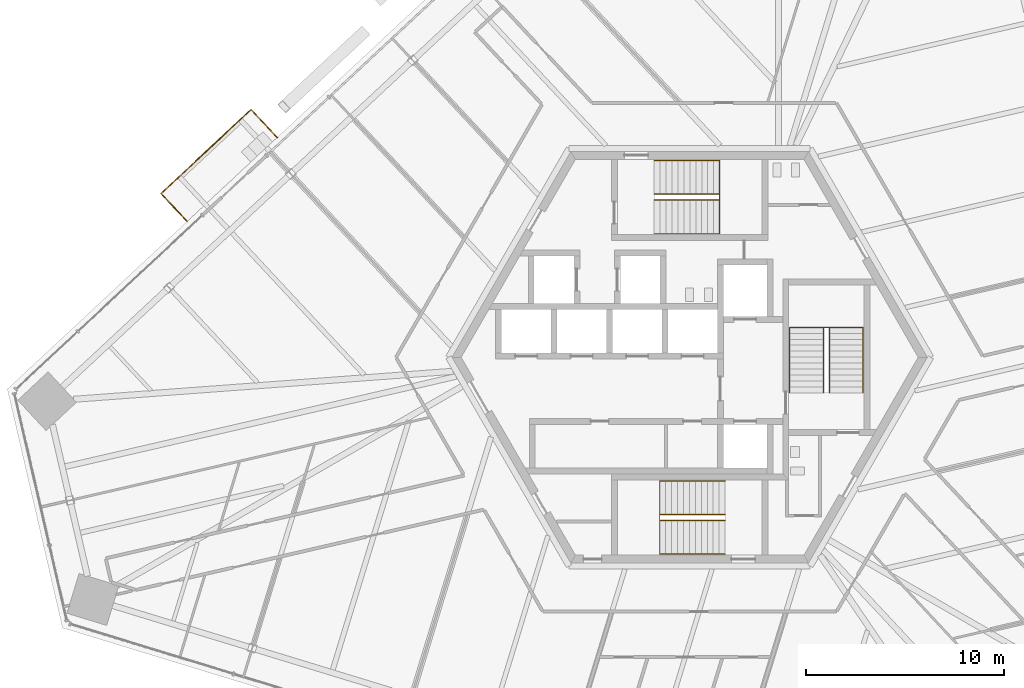
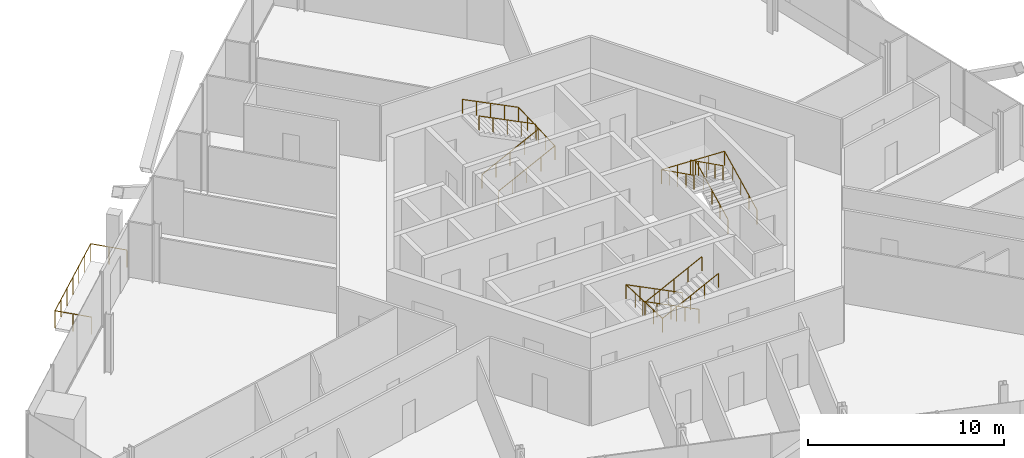
# One storey, part 17 of 20: 7 railings.
"""IFC4 building model written with IfcOpenShell, lengths in metres."""

from ifc_helpers import new_model, si_unit, direction, frame, origin, origin_2d, place, context, subcontext, project, spatial, circle, extrude, source, transform, mapped, material, type_object, element, save


model = new_model("IFC4")

# Units and contexts
model_context = context("Model", 3, precision=1e-05, world=origin(), true_north=direction((0.0, 1.0)))
body_context = subcontext(model_context, "Body", "Model", "MODEL_VIEW")
ifc_project = project(units=[si_unit("LENGTHUNIT", "METRE"), si_unit("AREAUNIT", "SQUARE_METRE"), si_unit("VOLUMEUNIT", "CUBIC_METRE"), si_unit("PLANEANGLEUNIT", "RADIAN"), si_unit("MASSUNIT", "GRAM", prefix="KILO")], contexts=[model_context])

# Site, building, storey
site_placement = place(None, origin())
site = spatial("IfcSite", under=ifc_project, at=site_placement, CompositionType="ELEMENT")
building_placement = place(site_placement, origin())
building = spatial("IfcBuilding", under=site, at=building_placement, Name="Triune Harvest Tower", CompositionType="ELEMENT")
storey_placement = place(building_placement, frame((0.0, 0.0, 116.300048828125)))
storey = spatial("IfcBuildingStorey", under=building, at=storey_placement, Name="L29", CompositionType="ELEMENT", Elevation=116.300048828125)

# Railings
ifc_material_1 = material(Name="Glass", Category="glass")
railing_type_1 = type_object("IfcRailingType", Name="GD-2 balcony guard 1100", PredefinedType="GUARDRAIL", material=ifc_material_1)
railing_1_placement = place(storey_placement, frame((-20.830322265625, 11.099853515625, 0.0)))
element("IfcRailing", 1, at=railing_1_placement, inside=storey, type_object=railing_type_1, Name="Balcony guard B3-F3 L29.9", PredefinedType="GUARDRAIL", context=body_context, shape_type="SweptSolid", body=[
    extrude(circle(Radius=0.02392578125, at=origin_2d()), frame((0.0, 0.0, 1.076171875), z_axis=(-0.682093027089, 0.731265411733, 0.0), x_axis=(-0.731265411733, -0.682093027089, 0.0)), (0.0, 0.0, 1.0), 1.931396484375),
    extrude(circle(Radius=0.02392578125, at=origin_2d()), frame((-1.3173828125, 1.412353515625, 1.076171875), z_axis=(-0.731350246246, -0.682002065478, 0.0), x_axis=(0.682002065478, -0.731350246246, 0.0)), (0.0, 0.0, 1.0), 6.21875),
    extrude(circle(Radius=0.02392578125, at=origin_2d()), frame((-5.865478515625, -2.828857421875, 1.076171875), z_axis=(0.681962370145, -0.731387261105, 0.0), x_axis=(0.731387261105, 0.681962370145, 0.0)), (0.0, 0.0, 1.0), 1.931396484375),
    extrude(circle(Radius=0.02099609375, at=origin_2d()), origin(), (0.0, 0.0, 1.0), 1.052001953125),
    extrude(circle(Radius=0.02099609375, at=origin_2d()), frame((-0.65869140625, 0.7060546875, 0.0)), (0.0, 0.0, 1.0), 1.052001953125),
    extrude(circle(Radius=0.02099609375, at=origin_2d()), frame((-1.3173828125, 1.412353515625, 0.0)), (0.0, 0.0, 1.0), 1.052001953125),
    extrude(circle(Radius=0.02099609375, at=origin_2d()), frame((-2.075439453125, 0.70556640625, 0.0)), (0.0, 0.0, 1.0), 1.052001953125),
    extrude(circle(Radius=0.02099609375, at=origin_2d()), frame((-2.83349609375, -0.00146484375, 0.0)), (0.0, 0.0, 1.0), 1.052001953125),
    extrude(circle(Radius=0.02099609375, at=origin_2d()), frame((-3.59130859375, -0.708251953125, 0.0)), (0.0, 0.0, 1.0), 1.052001953125),
    extrude(circle(Radius=0.02099609375, at=origin_2d()), frame((-4.349365234375, -1.4150390625, 0.0)), (0.0, 0.0, 1.0), 1.052001953125),
    extrude(circle(Radius=0.02099609375, at=origin_2d()), frame((-5.107421875, -2.1220703125, 0.0)), (0.0, 0.0, 1.0), 1.052001953125),
    extrude(circle(Radius=0.02099609375, at=origin_2d()), frame((-5.865478515625, -2.828857421875, 0.0)), (0.0, 0.0, 1.0), 1.052001953125),
    extrude(circle(Radius=0.02099609375, at=origin_2d()), frame((-5.20703125, -3.53515625, 0.0)), (0.0, 0.0, 1.0), 1.052001953125),
    extrude(circle(Radius=0.02099609375, at=origin_2d()), frame((-4.54833984375, -4.241455078125, 0.0)), (0.0, 0.0, 1.0), 1.052001953125),
])
ifc_material_2 = material(Name="Stainless steel AISI 316", Category="steel")
railing_type_2 = type_object("IfcRailingType", Name="Stair handrail", PredefinedType="HANDRAIL", material=ifc_material_2)
shared_shape_1 = source(origin(), body_context, "Body", "SweptSolid", [
    extrude(circle(Radius=0.02392578125, at=origin_2d()), frame((0.0, 0.0, 0.8759765625), z_axis=(0.894413956696, 0.0, 0.447240063129), x_axis=(0.0, 1.0, 0.0)), (0.0, 0.0, 1.0), 3.689697265625),
    extrude(circle(Radius=0.02392578125, at=origin_2d()), frame((3.300048828125, 0.0, 2.52587890625), z_axis=(0.0, 0.999180289278, 0.040481471304), x_axis=(-1.0, 0.0, 0.0)), (0.0, 0.0, 1.0), 3.702880859375),
    extrude(circle(Radius=0.02392578125, at=origin_2d()), frame((3.300048828125, 3.699951171875, 2.67578125), z_axis=(-0.894440424912, 0.0, 0.447187126696), x_axis=(0.0, -1.0, 0.0)), (0.0, 0.0, 1.0), 3.689453125),
    extrude(circle(Radius=0.02099609375, at=origin_2d()), origin(), (0.0, 0.0, 1.0), 0.851806640625),
    extrude(circle(Radius=0.02099609375, at=origin_2d()), frame((0.824951171875, 0.0, 0.41259765625)), (0.0, 0.0, 1.0), 0.851806640625),
    extrude(circle(Radius=0.02099609375, at=origin_2d()), frame((1.64990234375, 0.0, 0.8251953125)), (0.0, 0.0, 1.0), 0.851806640625),
    extrude(circle(Radius=0.02099609375, at=origin_2d()), frame((2.47509765625, 0.0, 1.237548828125)), (0.0, 0.0, 1.0), 0.851806640625),
    extrude(circle(Radius=0.02099609375, at=origin_2d()), frame((3.300048828125, 0.0, 1.650146484375)), (0.0, 0.0, 1.0), 0.851806640625),
    extrude(circle(Radius=0.02099609375, at=origin_2d()), frame((3.300048828125, 0.925048828125, 1.6875)), (0.0, 0.0, 1.0), 0.851806640625),
    extrude(circle(Radius=0.02099609375, at=origin_2d()), frame((3.300048828125, 1.85009765625, 1.72509765625)), (0.0, 0.0, 1.0), 0.851806640625),
    extrude(circle(Radius=0.02099609375, at=origin_2d()), frame((3.300048828125, 2.77490234375, 1.7626953125)), (0.0, 0.0, 1.0), 0.851806640625),
    extrude(circle(Radius=0.02099609375, at=origin_2d()), frame((3.300048828125, 3.699951171875, 1.800048828125)), (0.0, 0.0, 1.0), 0.851806640625),
    extrude(circle(Radius=0.02099609375, at=origin_2d()), frame((2.47509765625, 3.699951171875, 2.21240234375)), (0.0, 0.0, 1.0), 0.851806640625),
    extrude(circle(Radius=0.02099609375, at=origin_2d()), frame((1.64990234375, 3.699951171875, 2.625)), (0.0, 0.0, 1.0), 0.851806640625),
    extrude(circle(Radius=0.02099609375, at=origin_2d()), frame((0.824951171875, 3.699951171875, 3.03759765625)), (0.0, 0.0, 1.0), 0.851806640625),
    extrude(circle(Radius=0.02099609375, at=origin_2d()), frame((0.0, 3.699951171875, 3.449951171875)), (0.0, 0.0, 1.0), 0.851806640625),
])
railing_2_placement = place(storey_placement, frame((-1.7900390625, 6.239990234375, 0.14990234375)))
element("IfcRailing", 2, at=railing_2_placement, inside=storey, type_object=railing_type_2, Name="Exit stair north wall handrail", PredefinedType="HANDRAIL", context=body_context, shape_type="MappedRepresentation", body=[
    mapped(shared_shape_1, transform((0.0, 0.0, 0.0), scale=1.0)),
])
shared_shape_2 = source(origin(), body_context, "Body", "SweptSolid", [
    extrude(circle(Radius=0.02392578125, at=origin_2d()), frame((0.0, 0.0, 0.8759765625), z_axis=(0.894413956696, 0.0, 0.447240063129), x_axis=(0.0, 1.0, 0.0)), (0.0, 0.0, 1.0), 3.689697265625),
    extrude(circle(Radius=0.02392578125, at=origin_2d()), frame((3.300048828125, 0.0, 2.52587890625), z_axis=(0.0, 0.894572720946, 0.446922417137), x_axis=(-1.0, 0.0, 0.0)), (0.0, 0.0, 1.0), 0.33544921875),
    extrude(circle(Radius=0.02392578125, at=origin_2d()), frame((3.300048828125, 0.300048828125, 2.67578125), z_axis=(-0.894440424912, 0.0, 0.447187126696), x_axis=(0.0, -1.0, 0.0)), (0.0, 0.0, 1.0), 3.689453125),
    extrude(circle(Radius=0.02099609375, at=origin_2d()), origin(), (0.0, 0.0, 1.0), 0.851806640625),
    extrude(circle(Radius=0.02099609375, at=origin_2d()), frame((0.824951171875, 0.0, 0.41259765625)), (0.0, 0.0, 1.0), 0.851806640625),
    extrude(circle(Radius=0.02099609375, at=origin_2d()), frame((1.64990234375, 0.0, 0.8251953125)), (0.0, 0.0, 1.0), 0.851806640625),
    extrude(circle(Radius=0.02099609375, at=origin_2d()), frame((2.47509765625, 0.0, 1.237548828125)), (0.0, 0.0, 1.0), 0.851806640625),
    extrude(circle(Radius=0.02099609375, at=origin_2d()), frame((3.300048828125, 0.0, 1.650146484375)), (0.0, 0.0, 1.0), 0.851806640625),
    extrude(circle(Radius=0.02099609375, at=origin_2d()), frame((3.300048828125, 0.300048828125, 1.800048828125)), (0.0, 0.0, 1.0), 0.851806640625),
    extrude(circle(Radius=0.02099609375, at=origin_2d()), frame((2.47509765625, 0.300048828125, 2.21240234375)), (0.0, 0.0, 1.0), 0.851806640625),
    extrude(circle(Radius=0.02099609375, at=origin_2d()), frame((1.64990234375, 0.300048828125, 2.625)), (0.0, 0.0, 1.0), 0.851806640625),
    extrude(circle(Radius=0.02099609375, at=origin_2d()), frame((0.824951171875, 0.300048828125, 3.03759765625)), (0.0, 0.0, 1.0), 0.851806640625),
    extrude(circle(Radius=0.02099609375, at=origin_2d()), frame((0.0, 0.300048828125, 3.449951171875)), (0.0, 0.0, 1.0), 0.851806640625),
])
railing_3_placement = place(storey_placement, frame((-1.7900390625, 7.93994140625, 0.14990234375)))
element("IfcRailing", 3, at=railing_3_placement, inside=storey, type_object=railing_type_2, Name="Exit stair north centre handrail", PredefinedType="HANDRAIL", context=body_context, shape_type="MappedRepresentation", body=[
    mapped(shared_shape_2, transform((0.0, 0.0, 0.0), scale=1.0)),
])
shared_shape_3 = source(origin(), body_context, "Body", "SweptSolid", [
    extrude(circle(Radius=0.02392578125, at=origin_2d()), frame((0.0, 0.0, 0.8759765625), z_axis=(-0.894413956696, 0.0, 0.447240063129), x_axis=(0.0, -1.0, 0.0)), (0.0, 0.0, 1.0), 3.689697265625),
    extrude(circle(Radius=0.02392578125, at=origin_2d()), frame((-3.300048828125, 0.0, 2.52587890625), z_axis=(0.0, -0.999180289278, 0.040481471304), x_axis=(1.0, 0.0, 0.0)), (0.0, 0.0, 1.0), 3.702880859375),
    extrude(circle(Radius=0.02392578125, at=origin_2d()), frame((-3.300048828125, -3.699951171875, 2.67578125), z_axis=(0.894440424912, 0.0, 0.447187126696), x_axis=(0.0, 1.0, 0.0)), (0.0, 0.0, 1.0), 3.689453125),
    extrude(circle(Radius=0.02099609375, at=origin_2d()), origin(), (0.0, 0.0, 1.0), 0.851806640625),
    extrude(circle(Radius=0.02099609375, at=origin_2d()), frame((-0.824951171875, 0.0, 0.41259765625)), (0.0, 0.0, 1.0), 0.851806640625),
    extrude(circle(Radius=0.02099609375, at=origin_2d()), frame((-1.64990234375, 0.0, 0.8251953125)), (0.0, 0.0, 1.0), 0.851806640625),
    extrude(circle(Radius=0.02099609375, at=origin_2d()), frame((-2.47509765625, 0.0, 1.237548828125)), (0.0, 0.0, 1.0), 0.851806640625),
    extrude(circle(Radius=0.02099609375, at=origin_2d()), frame((-3.300048828125, 0.0, 1.650146484375)), (0.0, 0.0, 1.0), 0.851806640625),
    extrude(circle(Radius=0.02099609375, at=origin_2d()), frame((-3.300048828125, -0.925048828125, 1.6875)), (0.0, 0.0, 1.0), 0.851806640625),
    extrude(circle(Radius=0.02099609375, at=origin_2d()), frame((-3.300048828125, -1.85009765625, 1.72509765625)), (0.0, 0.0, 1.0), 0.851806640625),
    extrude(circle(Radius=0.02099609375, at=origin_2d()), frame((-3.300048828125, -2.77490234375, 1.7626953125)), (0.0, 0.0, 1.0), 0.851806640625),
    extrude(circle(Radius=0.02099609375, at=origin_2d()), frame((-3.300048828125, -3.699951171875, 1.800048828125)), (0.0, 0.0, 1.0), 0.851806640625),
    extrude(circle(Radius=0.02099609375, at=origin_2d()), frame((-2.47509765625, -3.699951171875, 2.21240234375)), (0.0, 0.0, 1.0), 0.851806640625),
    extrude(circle(Radius=0.02099609375, at=origin_2d()), frame((-1.64990234375, -3.699951171875, 2.625)), (0.0, 0.0, 1.0), 0.851806640625),
    extrude(circle(Radius=0.02099609375, at=origin_2d()), frame((-0.824951171875, -3.699951171875, 3.03759765625)), (0.0, 0.0, 1.0), 0.851806640625),
    extrude(circle(Radius=0.02099609375, at=origin_2d()), frame((0.0, -3.699951171875, 3.449951171875)), (0.0, 0.0, 1.0), 0.851806640625),
])
railing_4_placement = place(storey_placement, frame((1.7900390625, -6.239990234375, 0.14990234375)))
element("IfcRailing", 4, at=railing_4_placement, inside=storey, type_object=railing_type_2, Name="Exit stair south wall handrail", PredefinedType="HANDRAIL", context=body_context, shape_type="MappedRepresentation", body=[
    mapped(shared_shape_3, transform((0.0, 0.0, 0.0), scale=1.0)),
])
shared_shape_4 = source(origin(), body_context, "Body", "SweptSolid", [
    extrude(circle(Radius=0.02392578125, at=origin_2d()), frame((0.0, 0.0, 0.8759765625), z_axis=(-0.894413956696, 0.0, 0.447240063129), x_axis=(0.0, -1.0, 0.0)), (0.0, 0.0, 1.0), 3.689697265625),
    extrude(circle(Radius=0.02392578125, at=origin_2d()), frame((-3.300048828125, 0.0, 2.52587890625), z_axis=(0.0, -0.894572720946, 0.446922417137), x_axis=(1.0, 0.0, 0.0)), (0.0, 0.0, 1.0), 0.33544921875),
    extrude(circle(Radius=0.02392578125, at=origin_2d()), frame((-3.300048828125, -0.300048828125, 2.67578125), z_axis=(0.894440424912, 0.0, 0.447187126696), x_axis=(0.0, 1.0, 0.0)), (0.0, 0.0, 1.0), 3.689453125),
    extrude(circle(Radius=0.02099609375, at=origin_2d()), origin(), (0.0, 0.0, 1.0), 0.851806640625),
    extrude(circle(Radius=0.02099609375, at=origin_2d()), frame((-0.824951171875, 0.0, 0.41259765625)), (0.0, 0.0, 1.0), 0.851806640625),
    extrude(circle(Radius=0.02099609375, at=origin_2d()), frame((-1.64990234375, 0.0, 0.8251953125)), (0.0, 0.0, 1.0), 0.851806640625),
    extrude(circle(Radius=0.02099609375, at=origin_2d()), frame((-2.47509765625, 0.0, 1.237548828125)), (0.0, 0.0, 1.0), 0.851806640625),
    extrude(circle(Radius=0.02099609375, at=origin_2d()), frame((-3.300048828125, 0.0, 1.650146484375)), (0.0, 0.0, 1.0), 0.851806640625),
    extrude(circle(Radius=0.02099609375, at=origin_2d()), frame((-3.300048828125, -0.300048828125, 1.800048828125)), (0.0, 0.0, 1.0), 0.851806640625),
    extrude(circle(Radius=0.02099609375, at=origin_2d()), frame((-2.47509765625, -0.300048828125, 2.21240234375)), (0.0, 0.0, 1.0), 0.851806640625),
    extrude(circle(Radius=0.02099609375, at=origin_2d()), frame((-1.64990234375, -0.300048828125, 2.625)), (0.0, 0.0, 1.0), 0.851806640625),
    extrude(circle(Radius=0.02099609375, at=origin_2d()), frame((-0.824951171875, -0.300048828125, 3.03759765625)), (0.0, 0.0, 1.0), 0.851806640625),
    extrude(circle(Radius=0.02099609375, at=origin_2d()), frame((0.0, -0.300048828125, 3.449951171875)), (0.0, 0.0, 1.0), 0.851806640625),
])
railing_5_placement = place(storey_placement, frame((1.7900390625, -7.93994140625, 0.14990234375)))
element("IfcRailing", 5, at=railing_5_placement, inside=storey, type_object=railing_type_2, Name="Exit stair south centre handrail", PredefinedType="HANDRAIL", context=body_context, shape_type="MappedRepresentation", body=[
    mapped(shared_shape_4, transform((0.0, 0.0, 0.0), scale=1.0)),
])
shared_shape_5 = source(origin(), body_context, "Body", "SweptSolid", [
    extrude(circle(Radius=0.02392578125, at=origin_2d()), frame((0.0, 0.0, 0.8759765625), z_axis=(0.0, 0.894413956696, 0.447240063129), x_axis=(-1.0, 0.0, 0.0)), (0.0, 0.0, 1.0), 3.689697265625),
    extrude(circle(Radius=0.02392578125, at=origin_2d()), frame((0.0, 3.300048828125, 2.52587890625), z_axis=(-0.999180289278, 0.0, 0.040481471304), x_axis=(0.0, -1.0, 0.0)), (0.0, 0.0, 1.0), 3.702880859375),
    extrude(circle(Radius=0.02392578125, at=origin_2d()), frame((-3.699951171875, 3.300048828125, 2.67578125), z_axis=(0.0, -0.894440424912, 0.447187126696), x_axis=(1.0, 0.0, 0.0)), (0.0, 0.0, 1.0), 3.689453125),
    extrude(circle(Radius=0.02099609375, at=origin_2d()), origin(), (0.0, 0.0, 1.0), 0.851806640625),
    extrude(circle(Radius=0.02099609375, at=origin_2d()), frame((0.0, 0.824951171875, 0.41259765625)), (0.0, 0.0, 1.0), 0.851806640625),
    extrude(circle(Radius=0.02099609375, at=origin_2d()), frame((0.0, 1.64990234375, 0.8251953125)), (0.0, 0.0, 1.0), 0.851806640625),
    extrude(circle(Radius=0.02099609375, at=origin_2d()), frame((0.0, 2.47509765625, 1.237548828125)), (0.0, 0.0, 1.0), 0.851806640625),
    extrude(circle(Radius=0.02099609375, at=origin_2d()), frame((0.0, 3.300048828125, 1.650146484375)), (0.0, 0.0, 1.0), 0.851806640625),
    extrude(circle(Radius=0.02099609375, at=origin_2d()), frame((-0.925048828125, 3.300048828125, 1.6875)), (0.0, 0.0, 1.0), 0.851806640625),
    extrude(circle(Radius=0.02099609375, at=origin_2d()), frame((-1.85009765625, 3.300048828125, 1.72509765625)), (0.0, 0.0, 1.0), 0.851806640625),
    extrude(circle(Radius=0.02099609375, at=origin_2d()), frame((-2.77490234375, 3.300048828125, 1.7626953125)), (0.0, 0.0, 1.0), 0.851806640625),
    extrude(circle(Radius=0.02099609375, at=origin_2d()), frame((-3.699951171875, 3.300048828125, 1.800048828125)), (0.0, 0.0, 1.0), 0.851806640625),
    extrude(circle(Radius=0.02099609375, at=origin_2d()), frame((-3.699951171875, 2.47509765625, 2.21240234375)), (0.0, 0.0, 1.0), 0.851806640625),
    extrude(circle(Radius=0.02099609375, at=origin_2d()), frame((-3.699951171875, 1.64990234375, 2.625)), (0.0, 0.0, 1.0), 0.851806640625),
    extrude(circle(Radius=0.02099609375, at=origin_2d()), frame((-3.699951171875, 0.824951171875, 3.03759765625)), (0.0, 0.0, 1.0), 0.851806640625),
    extrude(circle(Radius=0.02099609375, at=origin_2d()), frame((-3.699951171875, 0.0, 3.449951171875)), (0.0, 0.0, 1.0), 0.851806640625),
])
railing_6_placement = place(storey_placement, frame((8.75, -1.7900390625, 0.14990234375)))
element("IfcRailing", 6, at=railing_6_placement, inside=storey, type_object=railing_type_2, Name="Exit stair east wall handrail", PredefinedType="HANDRAIL", context=body_context, shape_type="MappedRepresentation", body=[
    mapped(shared_shape_5, transform((0.0, 0.0, 0.0), scale=1.0)),
])
shared_shape_6 = source(origin(), body_context, "Body", "SweptSolid", [
    extrude(circle(Radius=0.02392578125, at=origin_2d()), frame((0.0, 0.0, 0.8759765625), z_axis=(0.0, 0.894413956696, 0.447240063129), x_axis=(-1.0, 0.0, 0.0)), (0.0, 0.0, 1.0), 3.689697265625),
    extrude(circle(Radius=0.02392578125, at=origin_2d()), frame((0.0, 3.300048828125, 2.52587890625), z_axis=(-0.894572720946, 0.0, 0.446922417137), x_axis=(0.0, -1.0, 0.0)), (0.0, 0.0, 1.0), 0.33544921875),
    extrude(circle(Radius=0.02392578125, at=origin_2d()), frame((-0.300048828125, 3.300048828125, 2.67578125), z_axis=(0.0, -0.894440424912, 0.447187126696), x_axis=(1.0, 0.0, 0.0)), (0.0, 0.0, 1.0), 3.689453125),
    extrude(circle(Radius=0.02099609375, at=origin_2d()), origin(), (0.0, 0.0, 1.0), 0.851806640625),
    extrude(circle(Radius=0.02099609375, at=origin_2d()), frame((0.0, 0.824951171875, 0.41259765625)), (0.0, 0.0, 1.0), 0.851806640625),
    extrude(circle(Radius=0.02099609375, at=origin_2d()), frame((0.0, 1.64990234375, 0.8251953125)), (0.0, 0.0, 1.0), 0.851806640625),
    extrude(circle(Radius=0.02099609375, at=origin_2d()), frame((0.0, 2.47509765625, 1.237548828125)), (0.0, 0.0, 1.0), 0.851806640625),
    extrude(circle(Radius=0.02099609375, at=origin_2d()), frame((0.0, 3.300048828125, 1.650146484375)), (0.0, 0.0, 1.0), 0.851806640625),
    extrude(circle(Radius=0.02099609375, at=origin_2d()), frame((-0.300048828125, 3.300048828125, 1.800048828125)), (0.0, 0.0, 1.0), 0.851806640625),
    extrude(circle(Radius=0.02099609375, at=origin_2d()), frame((-0.300048828125, 2.47509765625, 2.21240234375)), (0.0, 0.0, 1.0), 0.851806640625),
    extrude(circle(Radius=0.02099609375, at=origin_2d()), frame((-0.300048828125, 1.64990234375, 2.625)), (0.0, 0.0, 1.0), 0.851806640625),
    extrude(circle(Radius=0.02099609375, at=origin_2d()), frame((-0.300048828125, 0.824951171875, 3.03759765625)), (0.0, 0.0, 1.0), 0.851806640625),
    extrude(circle(Radius=0.02099609375, at=origin_2d()), frame((-0.300048828125, 0.0, 3.449951171875)), (0.0, 0.0, 1.0), 0.851806640625),
])
railing_7_placement = place(storey_placement, frame((7.050048828125, -1.7900390625, 0.14990234375)))
element("IfcRailing", 7, at=railing_7_placement, inside=storey, type_object=railing_type_2, Name="Exit stair east centre handrail", PredefinedType="HANDRAIL", context=body_context, shape_type="MappedRepresentation", body=[
    mapped(shared_shape_6, transform((0.0, 0.0, 0.0), scale=1.0)),
])

save(model, "model.ifc")
